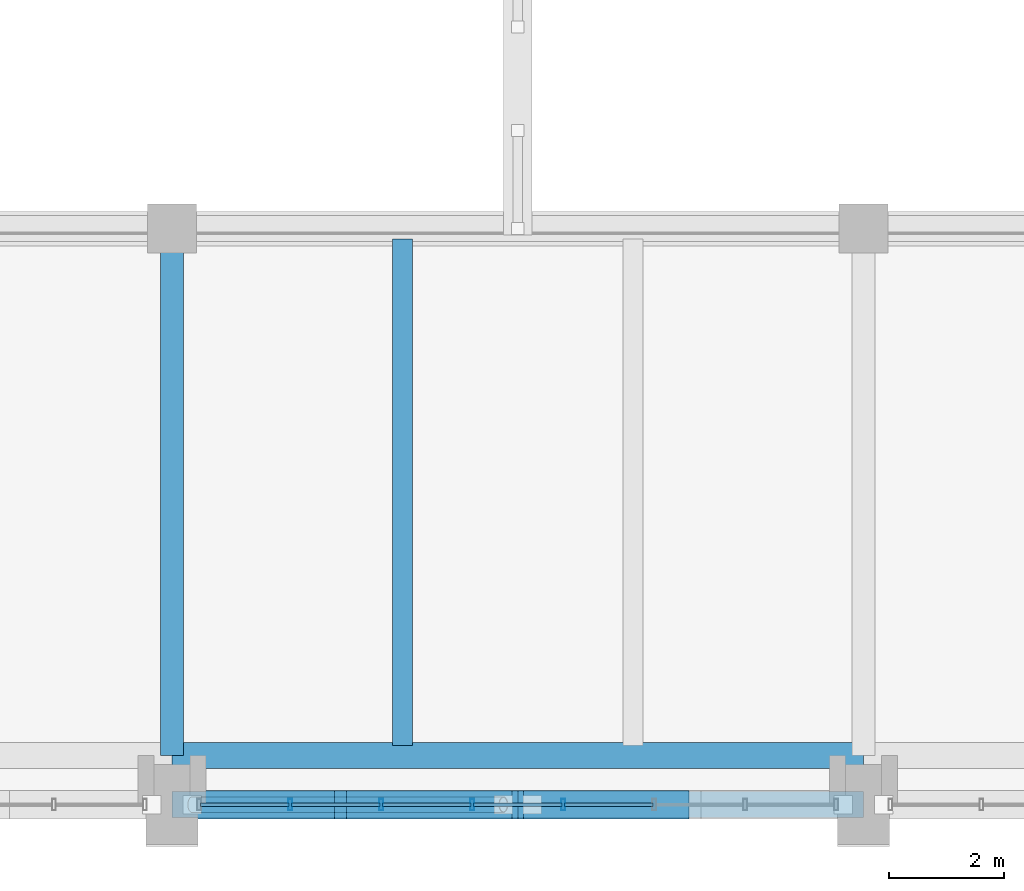
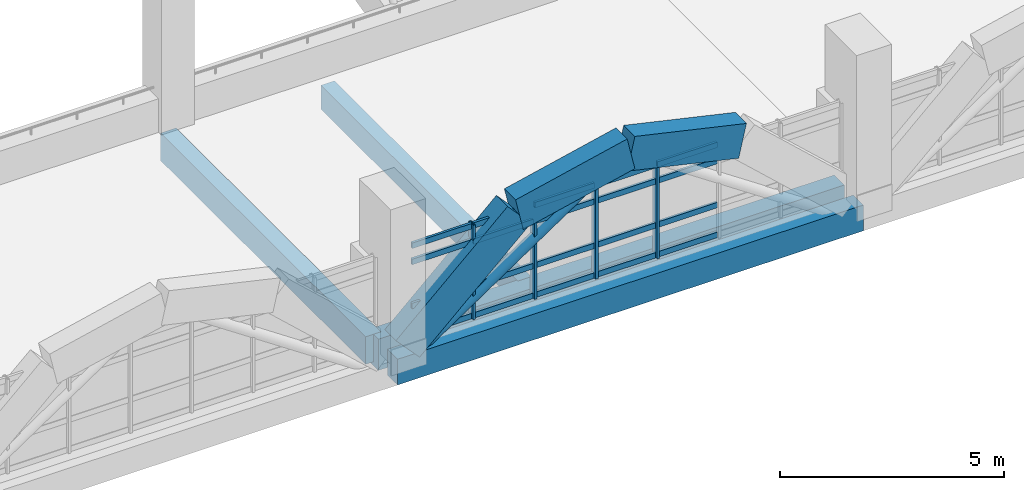
# One storey, part 13 of 161: 25 members, 7 beams, 1 element without a shape of its own.
"""IFC4 building model written with IfcOpenShell, lengths in metres."""

from ifc_helpers import new_model, si_unit, direction, frame, origin, origin_2d, place, context, subcontext, project, spatial, rectangle, hollow_rectangle, hollow_circle, extrude, material, layer, layer_set, material_profile, profile_set, type_object, element, aggregate, save


model = new_model("IFC4")

# Units and contexts
model_context = context("Model", 3, precision=1e-05, world=origin(), true_north=direction((0.0, 1.0)))
body_context = subcontext(model_context, "Body", "Model", "MODEL_VIEW")
ifc_project = project(units=[si_unit("LENGTHUNIT", "METRE"), si_unit("AREAUNIT", "SQUARE_METRE"), si_unit("VOLUMEUNIT", "CUBIC_METRE"), si_unit("PLANEANGLEUNIT", "RADIAN"), si_unit("MASSUNIT", "GRAM", prefix="KILO")], contexts=[model_context])

# Site, building, storey
site_placement = place(None, origin())
site = spatial("IfcSite", under=ifc_project, at=site_placement, CompositionType="ELEMENT")
building_placement = place(site_placement, origin())
building = spatial("IfcBuilding", under=site, at=building_placement, Name="Mersad Railyard Sports Hall", CompositionType="ELEMENT")
storey_placement = place(building_placement, frame((0.0, 0.0, 4.800048828125)))
storey = spatial("IfcBuildingStorey", under=building, at=storey_placement, Name="L01", CompositionType="ELEMENT", Elevation=4.800048828125)

# Curtain wall, members
ifc_material_1 = material(Name="Aluminium 6063-T6", Category="aluminium")
ifc_layer = layer(ifc_material_1, 0.199951171875)
ifc_layer_set = layer_set([ifc_layer], Name="Aluminium 6063-T6")
curtain_wall_type = type_object("IfcCurtainWallType", Name="ARC-CW-CW02", PredefinedType="USERDEFINED", material=ifc_layer_set)
curtain_wall_placement = place(storey_placement, origin())
curtain_wall = element("IfcCurtainWall", 1, at=curtain_wall_placement, inside=storey, type_object=curtain_wall_type, Name="Curtain wall CW02-0008", ObjectType="CURTAIN WALL", PredefinedType="USERDEFINED")
ifc_material_profile_1 = material_profile(ifc_material_1, hollow_rectangle(XDim=0.06494140625, YDim=0.199951171875, WallThickness=0.0048828125, at=origin_2d()), Name="AL MULLION 65x200x5")
ifc_profile_set_1 = profile_set([ifc_material_profile_1], Name="Aluminium 6063-T6")
member_type_1 = type_object("IfcMemberType", Name="ARC-CW-MUL02", PredefinedType="MULLION", material=ifc_profile_set_1)
member_1_placement = place(storey_placement, frame((37.7900390625, 3.5, -0.02001953125), z_axis=(0.0, 0.0, 1.0), x_axis=(1.0, 0.0, 0.0)))
member_1 = element("IfcMember", 2, at=member_1_placement, type_object=member_type_1, Name="CW02 Mullion 4", PredefinedType="MULLION", context=body_context, shape_type="SweptSolid", body=[
    extrude(hollow_rectangle(XDim=0.06494140625, YDim=0.199951171875, WallThickness=0.0048828125, at=origin_2d()), origin(), (0.0, 0.0, 1.0), 2.570068359375),
])
member_2_placement = place(storey_placement, frame((36.2099609375, 3.5, -0.02001953125), z_axis=(0.0, 0.0, 1.0), x_axis=(1.0, 0.0, 0.0)))
member_2 = element("IfcMember", 3, at=member_2_placement, type_object=member_type_1, Name="CW02 Mullion 5", PredefinedType="MULLION", context=body_context, shape_type="SweptSolid", body=[
    extrude(hollow_rectangle(XDim=0.06494140625, YDim=0.199951171875, WallThickness=0.0048828125, at=origin_2d()), origin(), (0.0, 0.0, 1.0), 2.570068359375),
])
member_3_placement = place(storey_placement, frame((34.6298828125, 3.5, -0.02001953125), z_axis=(0.0, 0.0, 1.0), x_axis=(1.0, 0.0, 0.0)))
member_3 = element("IfcMember", 4, at=member_3_placement, type_object=member_type_1, Name="CW02 Mullion 6", PredefinedType="MULLION", context=body_context, shape_type="SweptSolid", body=[
    extrude(hollow_rectangle(XDim=0.06494140625, YDim=0.199951171875, WallThickness=0.0048828125, at=origin_2d()), origin(), (0.0, 0.0, 1.0), 2.570068359375),
])
member_4_placement = place(storey_placement, frame((33.050048828125, 3.5, -0.02001953125), z_axis=(0.0, 0.0, 1.0), x_axis=(1.0, 0.0, 0.0)))
member_4 = element("IfcMember", 5, at=member_4_placement, type_object=member_type_1, Name="CW02 Mullion 7", PredefinedType="MULLION", context=body_context, shape_type="SweptSolid", body=[
    extrude(hollow_rectangle(XDim=0.06494140625, YDim=0.199951171875, WallThickness=0.0048828125, at=origin_2d()), origin(), (0.0, 0.0, 1.0), 2.570068359375),
])
ifc_material_profile_2 = material_profile(ifc_material_1, hollow_rectangle(XDim=0.06494140625, YDim=0.14990234375, WallThickness=0.00439453125, at=origin_2d()), Name="AL TRANSOM 65x150x4.5")
ifc_profile_set_2 = profile_set([ifc_material_profile_2], Name="Aluminium 6063-T6")
member_type_2 = type_object("IfcMemberType", Name="ARC-CW-TRN02", PredefinedType="USERDEFINED", material=ifc_profile_set_2)
member_5_placement = place(storey_placement, frame((39.35009765625, 3.5, 0.0400390625), z_axis=(-1.0, 0.0, 0.0), x_axis=(0.0, -1.0, 0.0)))
member_5 = element("IfcMember", 6, at=member_5_placement, type_object=member_type_2, Name="CW02 Transom 1-3", ObjectType="TRANSOM", PredefinedType="USERDEFINED", context=body_context, shape_type="SweptSolid", body=[
    extrude(hollow_rectangle(XDim=0.06494140625, YDim=0.14990234375, WallThickness=0.00439453125, at=origin_2d()), origin(), (0.0, 0.0, 1.0), 1.5400390625),
])
member_6_placement = place(storey_placement, frame((37.77001953125, 3.5, 0.0400390625), z_axis=(-1.0, 0.0, 0.0), x_axis=(0.0, -1.0, 0.0)))
member_6 = element("IfcMember", 7, at=member_6_placement, type_object=member_type_2, Name="CW02 Transom 1-4", ObjectType="TRANSOM", PredefinedType="USERDEFINED", context=body_context, shape_type="SweptSolid", body=[
    extrude(hollow_rectangle(XDim=0.06494140625, YDim=0.14990234375, WallThickness=0.00439453125, at=origin_2d()), origin(), (0.0, 0.0, 1.0), 1.5400390625),
])
member_7_placement = place(storey_placement, frame((36.18994140625, 3.5, 0.0400390625), z_axis=(-1.0, 0.0, 0.0), x_axis=(0.0, -1.0, 0.0)))
member_7 = element("IfcMember", 8, at=member_7_placement, type_object=member_type_2, Name="CW02 Transom 1-5", ObjectType="TRANSOM", PredefinedType="USERDEFINED", context=body_context, shape_type="SweptSolid", body=[
    extrude(hollow_rectangle(XDim=0.06494140625, YDim=0.14990234375, WallThickness=0.00439453125, at=origin_2d()), origin(), (0.0, 0.0, 1.0), 1.5400390625),
])
member_8_placement = place(storey_placement, frame((34.610107421875, 3.5, 0.0400390625), z_axis=(-1.0, 0.0, 0.0), x_axis=(0.0, -1.0, 0.0)))
member_8 = element("IfcMember", 9, at=member_8_placement, type_object=member_type_2, Name="CW02 Transom 1-6", ObjectType="TRANSOM", PredefinedType="USERDEFINED", context=body_context, shape_type="SweptSolid", body=[
    extrude(hollow_rectangle(XDim=0.06494140625, YDim=0.14990234375, WallThickness=0.00439453125, at=origin_2d()), origin(), (0.0, 0.0, 1.0), 1.5400390625),
])
member_9_placement = place(storey_placement, frame((33.030029296875, 3.5, 0.0400390625), z_axis=(-1.0, 0.0, 0.0), x_axis=(0.0, -1.0, 0.0)))
member_9 = element("IfcMember", 10, at=member_9_placement, type_object=member_type_2, Name="CW02 Transom 1-7", ObjectType="TRANSOM", PredefinedType="USERDEFINED", context=body_context, shape_type="SweptSolid", body=[
    extrude(hollow_rectangle(XDim=0.06494140625, YDim=0.14990234375, WallThickness=0.00439453125, at=origin_2d()), origin(), (0.0, 0.0, 1.0), 1.5400390625),
])
member_10_placement = place(storey_placement, frame((39.35009765625, 3.5, 0.849853515625), z_axis=(-1.0, 0.0, 0.0), x_axis=(0.0, -1.0, 0.0)))
member_10 = element("IfcMember", 11, at=member_10_placement, type_object=member_type_2, Name="CW02 Transom 2-3", ObjectType="TRANSOM", PredefinedType="USERDEFINED", context=body_context, shape_type="SweptSolid", body=[
    extrude(hollow_rectangle(XDim=0.06494140625, YDim=0.14990234375, WallThickness=0.00439453125, at=origin_2d()), origin(), (0.0, 0.0, 1.0), 1.5400390625),
])
member_11_placement = place(storey_placement, frame((37.77001953125, 3.5, 0.849853515625), z_axis=(-1.0, 0.0, 0.0), x_axis=(0.0, -1.0, 0.0)))
member_11 = element("IfcMember", 12, at=member_11_placement, type_object=member_type_2, Name="CW02 Transom 2-4", ObjectType="TRANSOM", PredefinedType="USERDEFINED", context=body_context, shape_type="SweptSolid", body=[
    extrude(hollow_rectangle(XDim=0.06494140625, YDim=0.14990234375, WallThickness=0.00439453125, at=origin_2d()), origin(), (0.0, 0.0, 1.0), 1.5400390625),
])
member_12_placement = place(storey_placement, frame((36.18994140625, 3.5, 0.849853515625), z_axis=(-1.0, 0.0, 0.0), x_axis=(0.0, -1.0, 0.0)))
member_12 = element("IfcMember", 13, at=member_12_placement, type_object=member_type_2, Name="CW02 Transom 2-5", ObjectType="TRANSOM", PredefinedType="USERDEFINED", context=body_context, shape_type="SweptSolid", body=[
    extrude(hollow_rectangle(XDim=0.06494140625, YDim=0.14990234375, WallThickness=0.00439453125, at=origin_2d()), origin(), (0.0, 0.0, 1.0), 1.5400390625),
])
member_13_placement = place(storey_placement, frame((34.610107421875, 3.5, 0.849853515625), z_axis=(-1.0, 0.0, 0.0), x_axis=(0.0, -1.0, 0.0)))
member_13 = element("IfcMember", 14, at=member_13_placement, type_object=member_type_2, Name="CW02 Transom 2-6", ObjectType="TRANSOM", PredefinedType="USERDEFINED", context=body_context, shape_type="SweptSolid", body=[
    extrude(hollow_rectangle(XDim=0.06494140625, YDim=0.14990234375, WallThickness=0.00439453125, at=origin_2d()), origin(), (0.0, 0.0, 1.0), 1.5400390625),
])
member_14_placement = place(storey_placement, frame((33.030029296875, 3.5, 0.849853515625), z_axis=(-1.0, 0.0, 0.0), x_axis=(0.0, -1.0, 0.0)))
member_14 = element("IfcMember", 15, at=member_14_placement, type_object=member_type_2, Name="CW02 Transom 2-7", ObjectType="TRANSOM", PredefinedType="USERDEFINED", context=body_context, shape_type="SweptSolid", body=[
    extrude(hollow_rectangle(XDim=0.06494140625, YDim=0.14990234375, WallThickness=0.00439453125, at=origin_2d()), origin(), (0.0, 0.0, 1.0), 1.5400390625),
])
member_15_placement = place(storey_placement, frame((39.35009765625, 3.5, 2.050048828125), z_axis=(-1.0, 0.0, 0.0), x_axis=(0.0, -1.0, 0.0)))
member_15 = element("IfcMember", 16, at=member_15_placement, type_object=member_type_2, Name="CW02 Transom 3-3", ObjectType="TRANSOM", PredefinedType="USERDEFINED", context=body_context, shape_type="SweptSolid", body=[
    extrude(hollow_rectangle(XDim=0.06494140625, YDim=0.14990234375, WallThickness=0.00439453125, at=origin_2d()), origin(), (0.0, 0.0, 1.0), 1.5400390625),
])
member_16_placement = place(storey_placement, frame((37.77001953125, 3.5, 2.050048828125), z_axis=(-1.0, 0.0, 0.0), x_axis=(0.0, -1.0, 0.0)))
member_16 = element("IfcMember", 17, at=member_16_placement, type_object=member_type_2, Name="CW02 Transom 3-4", ObjectType="TRANSOM", PredefinedType="USERDEFINED", context=body_context, shape_type="SweptSolid", body=[
    extrude(hollow_rectangle(XDim=0.06494140625, YDim=0.14990234375, WallThickness=0.00439453125, at=origin_2d()), origin(), (0.0, 0.0, 1.0), 1.5400390625),
])
member_17_placement = place(storey_placement, frame((36.18994140625, 3.5, 2.050048828125), z_axis=(-1.0, 0.0, 0.0), x_axis=(0.0, -1.0, 0.0)))
member_17 = element("IfcMember", 18, at=member_17_placement, type_object=member_type_2, Name="CW02 Transom 3-5", ObjectType="TRANSOM", PredefinedType="USERDEFINED", context=body_context, shape_type="SweptSolid", body=[
    extrude(hollow_rectangle(XDim=0.06494140625, YDim=0.14990234375, WallThickness=0.00439453125, at=origin_2d()), origin(), (0.0, 0.0, 1.0), 1.5400390625),
])
member_18_placement = place(storey_placement, frame((34.610107421875, 3.5, 2.050048828125), z_axis=(-1.0, 0.0, 0.0), x_axis=(0.0, -1.0, 0.0)))
member_18 = element("IfcMember", 19, at=member_18_placement, type_object=member_type_2, Name="CW02 Transom 3-6", ObjectType="TRANSOM", PredefinedType="USERDEFINED", context=body_context, shape_type="SweptSolid", body=[
    extrude(hollow_rectangle(XDim=0.06494140625, YDim=0.14990234375, WallThickness=0.00439453125, at=origin_2d()), origin(), (0.0, 0.0, 1.0), 1.5400390625),
])
member_19_placement = place(storey_placement, frame((33.030029296875, 3.5, 2.050048828125), z_axis=(-1.0, 0.0, 0.0), x_axis=(0.0, -1.0, 0.0)))
member_19 = element("IfcMember", 20, at=member_19_placement, type_object=member_type_2, Name="CW02 Transom 3-7", ObjectType="TRANSOM", PredefinedType="USERDEFINED", context=body_context, shape_type="SweptSolid", body=[
    extrude(hollow_rectangle(XDim=0.06494140625, YDim=0.14990234375, WallThickness=0.00439453125, at=origin_2d()), origin(), (0.0, 0.0, 1.0), 1.5400390625),
])
member_20_placement = place(storey_placement, frame((39.35009765625, 3.5, 2.489990234375), z_axis=(-1.0, 0.0, 0.0), x_axis=(0.0, -1.0, 0.0)))
member_20 = element("IfcMember", 21, at=member_20_placement, type_object=member_type_2, Name="CW02 Transom 4-3", ObjectType="TRANSOM", PredefinedType="USERDEFINED", context=body_context, shape_type="SweptSolid", body=[
    extrude(hollow_rectangle(XDim=0.06494140625, YDim=0.14990234375, WallThickness=0.00439453125, at=origin_2d()), origin(), (0.0, 0.0, 1.0), 1.5400390625),
])
member_21_placement = place(storey_placement, frame((37.77001953125, 3.5, 2.489990234375), z_axis=(-1.0, 0.0, 0.0), x_axis=(0.0, -1.0, 0.0)))
member_21 = element("IfcMember", 22, at=member_21_placement, type_object=member_type_2, Name="CW02 Transom 4-4", ObjectType="TRANSOM", PredefinedType="USERDEFINED", context=body_context, shape_type="SweptSolid", body=[
    extrude(hollow_rectangle(XDim=0.06494140625, YDim=0.14990234375, WallThickness=0.00439453125, at=origin_2d()), origin(), (0.0, 0.0, 1.0), 1.5400390625),
])
member_22_placement = place(storey_placement, frame((36.18994140625, 3.5, 2.489990234375), z_axis=(-1.0, 0.0, 0.0), x_axis=(0.0, -1.0, 0.0)))
member_22 = element("IfcMember", 23, at=member_22_placement, type_object=member_type_2, Name="CW02 Transom 4-5", ObjectType="TRANSOM", PredefinedType="USERDEFINED", context=body_context, shape_type="SweptSolid", body=[
    extrude(hollow_rectangle(XDim=0.06494140625, YDim=0.14990234375, WallThickness=0.00439453125, at=origin_2d()), origin(), (0.0, 0.0, 1.0), 1.5400390625),
])
member_23_placement = place(storey_placement, frame((34.610107421875, 3.5, 2.489990234375), z_axis=(-1.0, 0.0, 0.0), x_axis=(0.0, -1.0, 0.0)))
member_23 = element("IfcMember", 24, at=member_23_placement, type_object=member_type_2, Name="CW02 Transom 4-6", ObjectType="TRANSOM", PredefinedType="USERDEFINED", context=body_context, shape_type="SweptSolid", body=[
    extrude(hollow_rectangle(XDim=0.06494140625, YDim=0.14990234375, WallThickness=0.00439453125, at=origin_2d()), origin(), (0.0, 0.0, 1.0), 1.5400390625),
])
member_24_placement = place(storey_placement, frame((33.030029296875, 3.5, 2.489990234375), z_axis=(-1.0, 0.0, 0.0), x_axis=(0.0, -1.0, 0.0)))
member_24 = element("IfcMember", 25, at=member_24_placement, type_object=member_type_2, Name="CW02 Transom 4-7", ObjectType="TRANSOM", PredefinedType="USERDEFINED", context=body_context, shape_type="SweptSolid", body=[
    extrude(hollow_rectangle(XDim=0.06494140625, YDim=0.14990234375, WallThickness=0.00439453125, at=origin_2d()), origin(), (0.0, 0.0, 1.0), 1.5400390625),
])
aggregate(curtain_wall, [member_1, member_2, member_3, member_4, member_5, member_6, member_7, member_8, member_9, member_10, member_11, member_12, member_13, member_14, member_15, member_16, member_17, member_18, member_19, member_20, member_21, member_22, member_23, member_24])

# Beams
ifc_material_2 = material(Name="Concrete C40/50", Category="concrete")
ifc_material_profile_3 = material_profile(ifc_material_2, rectangle(XDim=0.39990234375, YDim=0.75, at=origin_2d()), Name="RC 400x750")
ifc_profile_set_3 = profile_set([ifc_material_profile_3], Name="Concrete C40/50")
beam_type_1 = type_object("IfcBeamType", Name="STR-BM-B01", PredefinedType="BEAM", material=ifc_profile_set_3)
beam_1_placement = place(storey_placement, frame((31.0, 4.35009765625, -0.655029296875), z_axis=(0.0, 1.0, 0.0), x_axis=(-1.0, 0.0, 0.0)))
element("IfcBeam", 26, at=beam_1_placement, inside=storey, type_object=beam_type_1, Name="Beam B01-0295", PredefinedType="BEAM", context=body_context, shape_type="SweptSolid", body=[
    extrude(rectangle(XDim=0.39990234375, YDim=0.75, at=origin_2d()), origin(), (0.0, 0.0, 1.0), 9.14990234375),
])
ifc_material_profile_4 = material_profile(ifc_material_2, rectangle(XDim=0.449951171875, YDim=0.85009765625, at=origin_2d()), Name="RC 450x850")
ifc_profile_set_4 = profile_set([ifc_material_profile_4], Name="Concrete C40/50")
beam_type_2 = type_object("IfcBeamType", Name="STR-BM-B02", PredefinedType="BEAM", material=ifc_profile_set_4)
beam_2_placement = place(storey_placement, frame((31.0, 4.35009765625, -0.705078125), z_axis=(1.0, 0.0, 0.0), x_axis=(0.0, 1.0, 0.0)))
element("IfcBeam", 27, at=beam_2_placement, inside=storey, type_object=beam_type_2, Name="Beam B02-0285", PredefinedType="BEAM", context=body_context, shape_type="SweptSolid", body=[
    extrude(rectangle(XDim=0.449951171875, YDim=0.85009765625, at=origin_2d()), origin(), (0.0, 0.0, 1.0), 12.0),
])
ifc_material_profile_5 = material_profile(ifc_material_2, rectangle(XDim=0.35009765625, YDim=0.64990234375, at=origin_2d()), Name="RC 350x650")
ifc_profile_set_5 = profile_set([ifc_material_profile_5], Name="Concrete C40/50")
beam_type_3 = type_object("IfcBeamType", Name="STR-BM-J01", PredefinedType="JOIST", material=ifc_profile_set_5)
beam_3_placement = place(storey_placement, frame((35.0, 4.530029296875, -0.60498046875), z_axis=(0.0, 1.0, 0.0), x_axis=(-1.0, 0.0, 0.0)))
element("IfcBeam", 28, at=beam_3_placement, inside=storey, type_object=beam_type_3, Name="Beam J01-0396", PredefinedType="JOIST", context=body_context, shape_type="SweptSolid", body=[
    extrude(rectangle(XDim=0.35009765625, YDim=0.64990234375, at=origin_2d()), origin(), (0.0, 0.0, 1.0), 8.7900390625),
])
ifc_material_3 = material(Name="Architectural concrete C40/50", Category="concrete")
ifc_material_profile_6 = material_profile(ifc_material_3, rectangle(XDim=0.449951171875, YDim=0.699951171875, at=origin_2d()), Name="RC 450x700")
ifc_profile_set_6 = profile_set([ifc_material_profile_6], Name="Architectural concrete C40/50")
beam_type_4 = type_object("IfcBeamType", Name="STR-BM-SP01", PredefinedType="SPANDREL", material=ifc_profile_set_6)
beam_4_placement = place(storey_placement, frame((31.0, 3.5, -0.66015625), z_axis=(1.0, 0.0, 0.0), x_axis=(0.0, 1.0, 0.0)))
element("IfcBeam", 29, at=beam_4_placement, inside=storey, type_object=beam_type_4, Name="Beam SP01-0344", PredefinedType="SPANDREL", context=body_context, shape_type="SweptSolid", body=[
    extrude(rectangle(XDim=0.449951171875, YDim=0.699951171875, at=origin_2d()), origin(), (0.0, 0.0, 1.0), 12.0),
])
ifc_material_4 = material(Name="Architectural concrete C50/60", Category="concrete")
ifc_material_profile_7 = material_profile(ifc_material_4, rectangle(XDim=0.5, YDim=0.89990234375, at=origin_2d()), Name="VR 500x900")
ifc_profile_set_7 = profile_set([ifc_material_profile_7], Name="Architectural concrete C50/60")
beam_type_5 = type_object("IfcBeamType", Name="STR-BM-VR02", PredefinedType="BEAM", material=ifc_profile_set_7)
beam_5_placement = place(storey_placement, frame((31.25, 3.5, -0.10009765625), z_axis=(0.735617187873, 0.0, 0.677397485164), x_axis=(0.0, 1.0, 0.0)))
element("IfcBeam", 30, at=beam_5_placement, inside=storey, type_object=beam_type_5, Name="Beam VR02-0346", PredefinedType="BEAM", context=body_context, shape_type="SweptSolid", body=[
    extrude(rectangle(XDim=0.5, YDim=0.89990234375, at=origin_2d()), origin(), (0.0, 0.0, 1.0), 3.908203125),
])
for number, where, z_axis, x_axis, name in (
    (31, (34.125, 3.5, 2.54736328125), (0.97519301708, 0.0, 0.221356227467), (0.0, 1.0, 0.0), "Beam VR02-0348"),
    (32, (37.0, 3.5, 3.199951171875), (0.97519301708, 0.0, -0.221356227467), (0.0, 1.0, 0.0), "Beam VR02-0350"),
):
    element("IfcBeam", number, at=place(storey_placement, frame(where, z_axis=z_axis, x_axis=x_axis)), inside=storey, type_object=beam_type_5, Name=name, PredefinedType="BEAM", context=body_context, shape_type="SweptSolid", body=[
        extrude(rectangle(XDim=0.5, YDim=0.89990234375, at=origin_2d()), origin(), (0.0, 0.0, 1.0), 2.9482421875),
    ])

# Member
ifc_material_5 = material(Name="Steel S355", Category="steel")
ifc_material_profile_8 = material_profile(ifc_material_5, hollow_circle(Radius=0.136474609375, WallThickness=0.012451171875, at=origin_2d()), Name="CHS 273x12.5")
ifc_profile_set_8 = profile_set([ifc_material_profile_8], Name="Steel S355")
member_type_3 = type_object("IfcMemberType", Name="STR-MEM-BR02", PredefinedType="BRACE", material=ifc_profile_set_8)
member_25_placement = place(storey_placement, frame((31.35009765625, 3.5, -0.6201171875), z_axis=(0.829190125257, 0.0, 0.558966668215), x_axis=(0.0, 1.0, 0.0)))
element("IfcMember", 33, at=member_25_placement, inside=storey, type_object=member_type_3, Name="Structural member BR02-0009", PredefinedType="BRACE", context=body_context, shape_type="SweptSolid", body=[
    extrude(hollow_circle(Radius=0.136474609375, WallThickness=0.012451171875, at=origin_2d()), origin(), (0.0, 0.0, 1.0), 6.51220703125),
])

save(model, "model.ifc")
